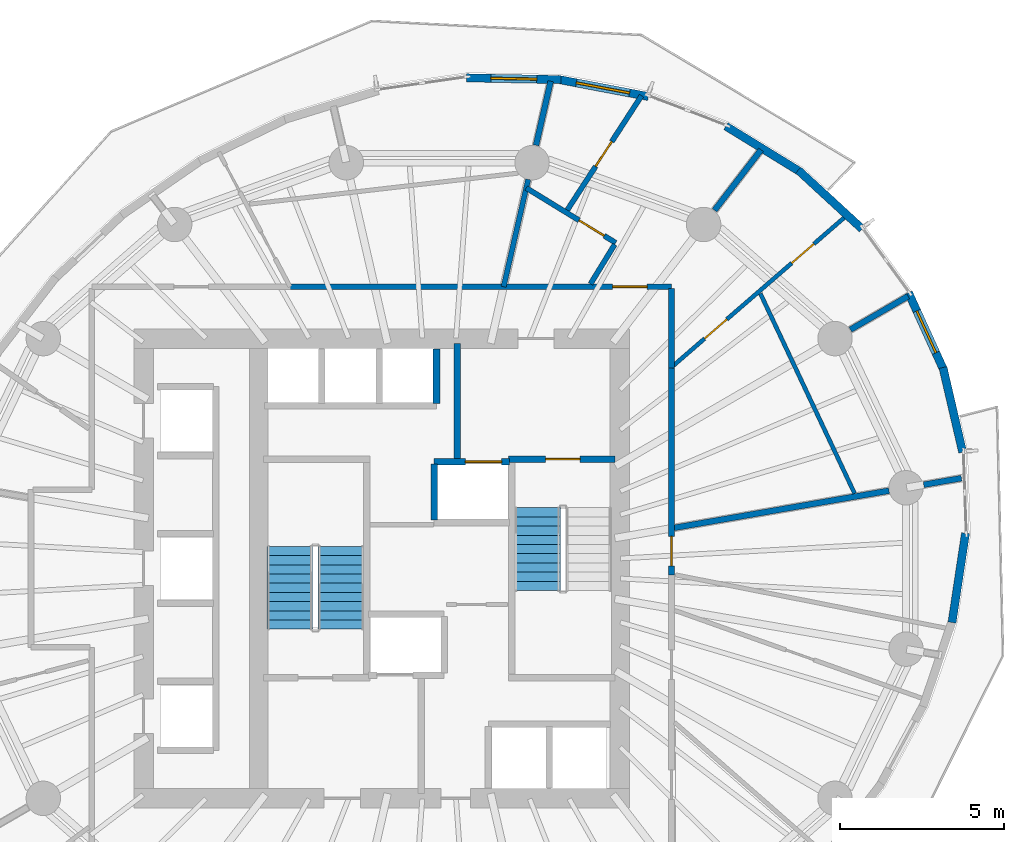
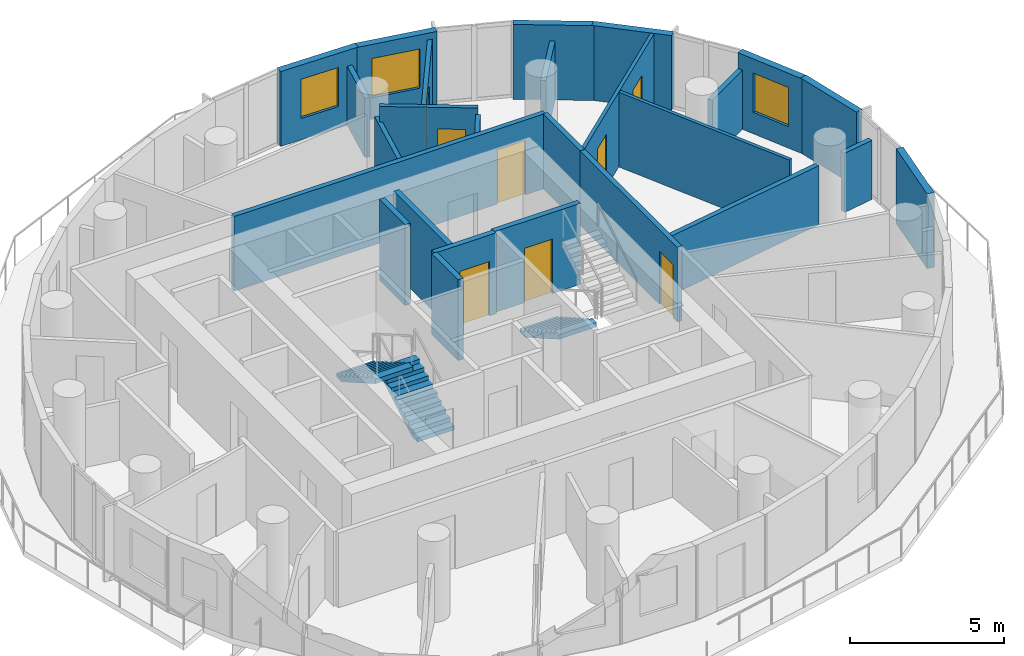
# One storey, part 8 of 14: 26 walls, 8 doors, 3 stair flights, 3 windows, 11 openings, 2 elements without a shape of their own.
"""IFC4 building model written with IfcOpenShell, lengths in metres."""

from ifc_helpers import new_model, si_unit, direction, frame, frame_2d, origin, place, context, subcontext, project, spatial, polyline, rectangle, outline, extrude, material, layer, layer_set, type_object, element, fill, aggregate, save


model = new_model("IFC4")

# Units and contexts
model_context = context("Model", 3, precision=1e-05, world=origin(), true_north=direction((0.0, 1.0)))
body_context = subcontext(model_context, "Body", "Model", "MODEL_VIEW")
ifc_project = project(units=[si_unit("LENGTHUNIT", "METRE"), si_unit("AREAUNIT", "SQUARE_METRE"), si_unit("VOLUMEUNIT", "CUBIC_METRE"), si_unit("PLANEANGLEUNIT", "RADIAN"), si_unit("MASSUNIT", "GRAM", prefix="KILO")], contexts=[model_context])

# Site, building, storey
site_placement = place(None, origin())
site = spatial("IfcSite", under=ifc_project, at=site_placement, CompositionType="ELEMENT")
building_placement = place(site_placement, origin())
building = spatial("IfcBuilding", under=site, at=building_placement, Name="Veldorim Arch Residences", CompositionType="ELEMENT")
storey_placement = place(building_placement, frame((0.0, 0.0, 126.56005859375)))
storey = spatial("IfcBuildingStorey", under=building, at=storey_placement, Name="L37", CompositionType="ELEMENT", Elevation=126.56005859375)

# Wall, openings, doors
ifc_material_1 = material(Name="Acoustic Gypsum Board", Category="gypsum")
ifc_layer_1 = layer(ifc_material_1, 0.125, Name="Acoustic Stud Room Partition Wall 125")
ifc_layer_set_1 = layer_set([ifc_layer_1], Name="Acoustic Gypsum Board")
wall_type_1 = type_object("IfcWallType", Name="Acoustic Stud Room Partition Wall 125", PredefinedType="PARTITIONING", material=ifc_layer_set_1)
wall_1_placement = place(storey_placement, frame((44.415283203125, 34.75244140625, 0.0), z_axis=(0.0, 0.0, 1.0), x_axis=(-0.755899043164, -0.654688197957, 0.0)))
wall_1 = element("IfcWall", 1, at=wall_1_placement, inside=storey, type_object=wall_type_1, Name="L37 interior wall WL-RES-L37-021", PredefinedType="PARTITIONING", context=body_context, shape_type="SweptSolid", body=[
    extrude(rectangle(XDim=7.05810546875, YDim=0.125, at=frame_2d((3.529052734375, 0.0))), origin(), (0.0, 0.0, 1.0), 2.954833984375),
])
opening_1_placement = place(wall_1_placement, frame((1.322998046875, 0.0, 0.0)))
opening_1 = element("IfcOpeningElement", 2, at=opening_1_placement, cuts=wall_1, Name="Opening DR-INT", PredefinedType="OPENING", context=body_context, shape_type="SweptSolid", body=[
    extrude(rectangle(XDim=0.89990234375, YDim=2.10009765625, at=frame_2d((0.449951171875, 1.050048828125))), frame((0.0, 0.072509765625, 0.0), z_axis=(0.0, -1.0, 0.0), x_axis=(1.0, 0.0, 0.0)), (0.0, 0.0, 1.0), 0.14501953125),
])
opening_2_placement = place(wall_1_placement, frame((4.83154296875, 0.0, 0.0)))
opening_2 = element("IfcOpeningElement", 3, at=opening_2_placement, cuts=wall_1, Name="Opening DR-INT", PredefinedType="OPENING", context=body_context, shape_type="SweptSolid", body=[
    extrude(rectangle(XDim=0.89990234375, YDim=2.10009765625, at=frame_2d((0.449951171875, 1.050048828125))), frame((0.0, 0.072509765625, 0.0), z_axis=(0.0, -1.0, 0.0), x_axis=(1.0, 0.0, 0.0)), (0.0, 0.0, 1.0), 0.14501953125),
])
ifc_material_2 = material(Name="Engineered Timber", Category="wood")
door_type_1 = type_object("IfcDoorType", Name="Apartment Internal Room Timber Door 900x2100", OperationType="SINGLE_SWING_LEFT", PredefinedType="DOOR", material=ifc_material_2)
door_1_placement = place(opening_1_placement, origin())
door_1 = element("IfcDoor", 4, at=door_1_placement, inside=storey, type_object=door_type_1, Name="L37 interior door DR-RES-L37-009", OperationType="SINGLE_SWING_LEFT", OverallHeight=2.10009765625, OverallWidth=0.89990234375, PredefinedType="DOOR", context=body_context, shape_type="SweptSolid", body=[
    extrude(rectangle(XDim=0.89990234375, YDim=2.10009765625, at=frame_2d((0.449951171875, 1.050048828125))), frame((0.0, 0.02490234375, 0.0), z_axis=(0.0, -1.0, 0.0), x_axis=(1.0, 0.0, 0.0)), (0.0, 0.0, 1.0), 0.050048828125),
])
fill(opening_1, door_1)
door_2_placement = place(opening_2_placement, origin())
door_2 = element("IfcDoor", 5, at=door_2_placement, inside=storey, type_object=door_type_1, Name="L37 interior door DR-RES-L37-010", OperationType="SINGLE_SWING_RIGHT", OverallHeight=2.10009765625, OverallWidth=0.89990234375, PredefinedType="DOOR", context=body_context, shape_type="SweptSolid", body=[
    extrude(rectangle(XDim=0.89990234375, YDim=2.10009765625, at=frame_2d((0.449951171875, 1.050048828125))), frame((0.0, 0.02490234375, 0.0), z_axis=(0.0, -1.0, 0.0), x_axis=(1.0, 0.0, 0.0)), (0.0, 0.0, 1.0), 0.050048828125),
])
fill(opening_2, door_2)

# Walls
wall_2_placement = place(storey_placement, frame((44.6533203125, 26.284912109375, 0.0), z_axis=(0.0, 0.0, 1.0), x_axis=(-0.426326363779, 0.90456941776, 0.0)))
element("IfcWall", 6, at=wall_2_placement, inside=storey, type_object=wall_type_1, Name="L37 interior wall WL-RES-L37-025", PredefinedType="PARTITIONING", context=body_context, shape_type="SweptSolid", body=[
    extrude(rectangle(XDim=6.729248046875, YDim=0.125, at=frame_2d((3.36474609375, 0.0))), origin(), (0.0, 0.0, 1.0), 2.954833984375),
])
ifc_material_3 = material(Name="Lightweight Masonry Block & Gypsum", Category="masonry")
ifc_layer_2 = layer(ifc_material_3, 0.179931640625, Name="Compartment & Corridor Fire-Rated Party Wall 180")
ifc_layer_set_2 = layer_set([ifc_layer_2], Name="Lightweight Masonry Block & Gypsum")
wall_type_2 = type_object("IfcWallType", Name="Compartment & Corridor Fire-Rated Party Wall 180", PredefinedType="PARTITIONING", material=ifc_layer_set_2)
wall_3_placement = place(storey_placement, frame((46.75830078125, 26.55078125, 0.0), z_axis=(0.0, 0.0, 1.0), x_axis=(0.98537549431, 0.170396992969, 0.0)))
element("IfcWall", 7, at=wall_3_placement, inside=storey, type_object=wall_type_2, Name="L37 interior wall WL-PIER-L37-01", PredefinedType="PARTITIONING", context=body_context, shape_type="SweptSolid", body=[
    extrude(rectangle(XDim=1.167724609375, YDim=0.179931640625, at=frame_2d((0.583984375, 0.0))), origin(), (0.0, 0.0, 1.0), 2.335693359375),
])
wall_4_placement = place(storey_placement, frame((44.527587890625, 31.27392578125, 0.0), z_axis=(0.0, 0.0, 1.0), x_axis=(0.86481084581, 0.502097800203, 0.0)))
element("IfcWall", 8, at=wall_4_placement, inside=storey, type_object=wall_type_2, Name="L37 interior wall WL-PIER-L37-02", PredefinedType="PARTITIONING", context=body_context, shape_type="SweptSolid", body=[
    extrude(rectangle(XDim=2.030029296875, YDim=0.179931640625, at=frame_2d((1.01513671875, 0.0))), origin(), (0.0, 0.0, 1.0), 2.335693359375),
])
wall_5_placement = place(storey_placement, frame((40.387939453125, 34.908447265625, 0.0), z_axis=(0.0, 0.0, 1.0), x_axis=(0.609553382458, 0.792745024541, 0.0)))
element("IfcWall", 9, at=wall_5_placement, inside=storey, type_object=wall_type_2, Name="L37 interior wall WL-PIER-L37-03", PredefinedType="PARTITIONING", context=body_context, shape_type="SweptSolid", body=[
    extrude(rectangle(XDim=2.32421875, YDim=0.179931640625, at=frame_2d((1.162109375, 0.0))), origin(), (0.0, 0.0, 1.0), 2.335693359375),
])
wall_6_placement = place(storey_placement, frame((34.950439453125, 36.88916015625, 0.0), z_axis=(0.0, 0.0, 1.0), x_axis=(0.2231492674, 0.974784286116, 0.0)))
element("IfcWall", 10, at=wall_6_placement, inside=storey, type_object=wall_type_2, Name="L37 interior wall WL-PIER-L37-04", PredefinedType="PARTITIONING", context=body_context, shape_type="SweptSolid", body=[
    extrude(rectangle(XDim=2.002197265625, YDim=0.179931640625, at=frame_2d((1.0009765625, 0.0))), origin(), (0.0, 0.0, 1.0), 2.335693359375),
])

# Wall, opening, door
wall_7_placement = place(storey_placement, frame((39.080078125, 30.158203125, 0.0), z_axis=(0.0, 0.0, 1.0), x_axis=(0.0, -1.0, 0.0)))
wall_7 = element("IfcWall", 11, at=wall_7_placement, inside=storey, type_object=wall_type_2, Name="L37 interior wall WL-RES-L37-003", PredefinedType="PARTITIONING", context=body_context, shape_type="SweptSolid", body=[
    extrude(rectangle(XDim=6.350341796875, YDim=0.179931640625, at=frame_2d((3.17529296875, 0.0))), origin(), (0.0, 0.0, 1.0), 2.954833984375),
])
opening_3_placement = place(wall_7_placement, frame((5.18212890625, 0.0, 0.0)))
opening_3 = element("IfcOpeningElement", 12, at=opening_3_placement, cuts=wall_7, Name="Opening DR-INT", PredefinedType="OPENING", context=body_context, shape_type="SweptSolid", body=[
    extrude(rectangle(XDim=0.89990234375, YDim=2.10009765625, at=frame_2d((0.449951171875, 1.050048828125))), frame((0.0, 0.099853515625, 0.0), z_axis=(0.0, -1.0, 0.0), x_axis=(1.0, 0.0, 0.0)), (0.0, 0.0, 1.0), 0.199951171875),
])
door_3_placement = place(opening_3_placement, origin())
door_3 = element("IfcDoor", 13, at=door_3_placement, inside=storey, type_object=door_type_1, Name="L37 interior door DR-RES-L37-005", OperationType="SINGLE_SWING_LEFT", OverallHeight=2.10009765625, OverallWidth=0.89990234375, PredefinedType="DOOR", context=body_context, shape_type="SweptSolid", body=[
    extrude(rectangle(XDim=0.89990234375, YDim=2.10009765625, at=frame_2d((0.449951171875, 1.050048828125))), frame((0.0, 0.02490234375, 0.0), z_axis=(0.0, -1.0, 0.0), x_axis=(1.0, 0.0, 0.0)), (0.0, 0.0, 1.0), 0.050048828125),
])
fill(opening_3, door_3)

wall_8_placement = place(storey_placement, frame((27.435302734375, 32.580078125, 0.0), z_axis=(0.0, 0.0, 1.0), x_axis=(1.0, 0.0, 0.0)))
wall_8 = element("IfcWall", 14, at=wall_8_placement, inside=storey, type_object=wall_type_2, Name="L37 interior wall WL-RES-L37-004", PredefinedType="PARTITIONING", context=body_context, shape_type="SweptSolid", body=[
    extrude(rectangle(XDim=11.644775390625, YDim=0.179931640625, at=frame_2d((5.822265625, 0.0))), origin(), (0.0, 0.0, 1.0), 2.954833984375),
])
opening_4_placement = place(wall_8_placement, frame((9.848388671875, 0.0, 0.0)))
opening_4 = element("IfcOpeningElement", 15, at=opening_4_placement, cuts=wall_8, Name="Opening DR-FLT", PredefinedType="OPENING", context=body_context, shape_type="SweptSolid", body=[
    extrude(rectangle(XDim=1.050048828125, YDim=2.14990234375, at=frame_2d((0.52490234375, 1.074951171875))), frame((0.0, 0.099853515625, 0.0), z_axis=(0.0, -1.0, 0.0), x_axis=(1.0, 0.0, 0.0)), (0.0, 0.0, 1.0), 0.199951171875),
])
ifc_material_4 = material(Name="Fire-Rated Timber", Category="wood")
door_type_2 = type_object("IfcDoorType", Name="Apartment Entrance Solid-Core Fire Door 1050x2150", OperationType="SINGLE_SWING_LEFT", PredefinedType="DOOR", material=ifc_material_4)
door_4_placement = place(opening_4_placement, origin())
door_4 = element("IfcDoor", 16, at=door_4_placement, inside=storey, type_object=door_type_2, Name="L37 interior door DR-RES-L37-007", OperationType="SINGLE_SWING_LEFT", OverallHeight=2.14990234375, OverallWidth=1.050048828125, PredefinedType="DOOR", context=body_context, shape_type="SweptSolid", body=[
    extrude(rectangle(XDim=1.050048828125, YDim=2.14990234375, at=frame_2d((0.52490234375, 1.074951171875))), frame((0.0, 0.02490234375, 0.0), z_axis=(0.0, -1.0, 0.0), x_axis=(1.0, 0.0, 0.0)), (0.0, 0.0, 1.0), 0.050048828125),
])
fill(opening_4, door_4)

# Walls
wall_9_placement = place(storey_placement, frame((39.080078125, 32.52001953125, 0.0), z_axis=(0.0, 0.0, 1.0), x_axis=(0.0, -1.0, 0.0)))
element("IfcWall", 17, at=wall_9_placement, inside=storey, type_object=wall_type_2, Name="L37 interior wall WL-RES-L37-005", PredefinedType="PARTITIONING", context=body_context, shape_type="SweptSolid", body=[
    extrude(rectangle(XDim=2.408203125, YDim=0.179931640625, at=frame_2d((1.2041015625, 0.0))), origin(), (0.0, 0.0, 1.0), 2.954833984375),
])
wall_10_placement = place(storey_placement, frame((39.080078125, 25.2236328125, 0.0), z_axis=(0.0, 0.0, 1.0), x_axis=(0.985384524795, 0.17034476304, 0.0)))
element("IfcWall", 18, at=wall_10_placement, inside=storey, type_object=wall_type_2, Name="L37 interior wall WL-RES-L37-019", PredefinedType="PARTITIONING", context=body_context, shape_type="SweptSolid", body=[
    extrude(rectangle(XDim=6.7216796875, YDim=0.179931640625, at=frame_2d((3.36083984375, 0.0))), origin(), (0.0, 0.0, 1.0), 2.335693359375),
])

# Wall, opening, door
ifc_material_5 = material(Name="Concrete C50/60", Category="concrete")
ifc_layer_3 = layer(ifc_material_5, 0.199951171875, Name="Core Stair & Lift Shaft Enclosure Wall 200")
ifc_layer_set_3 = layer_set([ifc_layer_3], Name="Concrete C50/60")
wall_type_3 = type_object("IfcWallType", Name="Core Stair & Lift Shaft Enclosure Wall 200", PredefinedType="SHEAR", material=ifc_layer_set_3)
wall_11_placement = place(storey_placement, frame((34.110107421875, 27.330078125, 0.0), z_axis=(0.0, 0.0, 1.0), x_axis=(1.0, 0.0, 0.0)))
wall_11 = element("IfcWall", 19, at=wall_11_placement, inside=storey, type_object=wall_type_3, Name="L37 shaft wall WL-SHF-L37-ST2-N", PredefinedType="SHEAR", context=body_context, shape_type="SweptSolid", body=[
    extrude(rectangle(XDim=3.239990234375, YDim=0.199951171875, at=frame_2d((1.6201171875, 0.0))), origin(), (0.0, 0.0, 1.0), 3.199951171875),
])
opening_5_placement = place(wall_11_placement, frame((1.135009765625, 0.0, 0.0)))
opening_5 = element("IfcOpeningElement", 20, at=opening_5_placement, cuts=wall_11, Name="Opening DR-ST", PredefinedType="OPENING", context=body_context, shape_type="SweptSolid", body=[
    extrude(rectangle(XDim=1.050048828125, YDim=2.14990234375, at=frame_2d((0.52490234375, 1.074951171875))), frame((0.0, 0.10986328125, 0.0), z_axis=(0.0, -1.0, 0.0), x_axis=(1.0, 0.0, 0.0)), (0.0, 0.0, 1.0), 0.219970703125),
])
ifc_material_6 = material(Name="Fire-Rated Steel", Category="steel")
door_type_3 = type_object("IfcDoorType", Name="Exit Staircase Self-Closing Fire Door 1050x2150", OperationType="SINGLE_SWING_LEFT", PredefinedType="DOOR", material=ifc_material_6)
door_5_placement = place(opening_5_placement, origin())
door_5 = element("IfcDoor", 21, at=door_5_placement, inside=storey, type_object=door_type_3, Name="L37 interior door DR-L37-ST2", OperationType="SINGLE_SWING_RIGHT", OverallHeight=2.14990234375, OverallWidth=1.050048828125, PredefinedType="DOOR", context=body_context, shape_type="SweptSolid", body=[
    extrude(rectangle(XDim=1.050048828125, YDim=2.14990234375, at=frame_2d((0.52490234375, 1.074951171875))), frame((0.0, 0.02490234375, 0.0), z_axis=(0.0, -1.0, 0.0), x_axis=(1.0, 0.0, 0.0)), (0.0, 0.0, 1.0), 0.050048828125),
])
fill(opening_5, door_5)

# Wall
wall_12_placement = place(storey_placement, frame((32.550048828125, 27.35009765625, 0.0), z_axis=(0.0, 0.0, 1.0), x_axis=(0.0, 1.0, 0.0)))
element("IfcWall", 22, at=wall_12_placement, inside=storey, type_object=wall_type_3, Name="L37 shaft wall WL-FFL2-L37-W", PredefinedType="SHEAR", context=body_context, shape_type="SweptSolid", body=[
    extrude(rectangle(XDim=3.5, YDim=0.199951171875, at=frame_2d((1.75, 0.0))), origin(), (0.0, 0.0, 1.0), 3.199951171875),
])

# Wall, opening, door
wall_13_placement = place(storey_placement, frame((31.85009765625, 27.25, 0.0), z_axis=(0.0, 0.0, 1.0), x_axis=(1.0, 0.0, 0.0)))
wall_13 = element("IfcWall", 23, at=wall_13_placement, inside=storey, type_object=wall_type_3, Name="L37 shaft wall WL-FL02-L37-N", PredefinedType="SHEAR", context=body_context, shape_type="SweptSolid", body=[
    extrude(rectangle(XDim=2.2998046875, YDim=0.199951171875, at=frame_2d((1.14990234375, 0.0))), origin(), (0.0, 0.0, 1.0), 3.199951171875),
])
opening_6_placement = place(wall_13_placement, frame((0.949951171875, 0.0, 0.0)))
opening_6 = element("IfcOpeningElement", 24, at=opening_6_placement, cuts=wall_13, Name="Opening LD-FF", PredefinedType="OPENING", context=body_context, shape_type="SweptSolid", body=[
    extrude(rectangle(XDim=1.10009765625, YDim=2.14990234375, at=frame_2d((0.550048828125, 1.074951171875))), frame((0.0, 0.10986328125, 0.0), z_axis=(0.0, -1.0, 0.0), x_axis=(1.0, 0.0, 0.0)), (0.0, 0.0, 1.0), 0.219970703125),
])
ifc_material_7 = material(Name="Stainless Steel", Category="steel")
door_type_4 = type_object("IfcDoorType", Name="Firefighting Lift Bi-Parting Sliding Landing Door 1100x2150", OperationType="DOUBLE_DOOR_SLIDING", PredefinedType="DOOR", material=ifc_material_7)
door_6_placement = place(opening_6_placement, origin())
door_6 = element("IfcDoor", 25, at=door_6_placement, inside=storey, type_object=door_type_4, Name="L37 lift landing door LD-L37-FL02", OperationType="DOUBLE_DOOR_SLIDING", OverallHeight=2.14990234375, OverallWidth=1.10009765625, PredefinedType="DOOR", context=body_context, shape_type="SweptSolid", body=[
    extrude(rectangle(XDim=1.10009765625, YDim=2.14990234375, at=frame_2d((0.550048828125, 1.074951171875))), frame((0.0, 0.02490234375, 0.0), z_axis=(0.0, -1.0, 0.0), x_axis=(1.0, 0.0, 0.0)), (0.0, 0.0, 1.0), 0.050048828125),
])
fill(opening_6, door_6)

# Walls
wall_14_placement = place(storey_placement, frame((31.85009765625, 25.469970703125, 0.0), z_axis=(0.0, 0.0, 1.0), x_axis=(0.0, 1.0, 0.0)))
element("IfcWall", 26, at=wall_14_placement, inside=storey, type_object=wall_type_3, Name="L37 shaft wall WL-FL02-L37-W", PredefinedType="SHEAR", context=body_context, shape_type="SweptSolid", body=[
    extrude(rectangle(XDim=1.7099609375, YDim=0.199951171875, at=frame_2d((0.85498046875, 0.0))), origin(), (0.0, 0.0, 1.0), 3.199951171875),
])
wall_15_placement = place(storey_placement, frame((31.919921875, 29.02001953125, 0.0), z_axis=(0.0, 0.0, 1.0), x_axis=(0.0, 1.0, 0.0)))
element("IfcWall", 27, at=wall_15_placement, inside=storey, type_object=wall_type_3, Name="L37 shaft wall WL-B3-L37-E", PredefinedType="SHEAR", context=body_context, shape_type="SweptSolid", body=[
    extrude(rectangle(XDim=1.659912109375, YDim=0.199951171875, at=frame_2d((0.830078125, 0.0))), origin(), (0.0, 0.0, 1.0), 3.199951171875),
])
ifc_material_8 = material(Name="Precast concrete C40/50", Category="concrete")
ifc_layer_4 = layer(ifc_material_8, 0.25, Name="Tower Terracotta Spandrel & Pier Wall 250")
ifc_layer_set_4 = layer_set([ifc_layer_4], Name="Precast concrete C40/50")
wall_type_4 = type_object("IfcWallType", Name="Tower Terracotta Spandrel & Pier Wall 250", PredefinedType="SOLIDWALL", material=ifc_layer_set_4)
wall_16_placement = place(storey_placement, frame((42.938720703125, 36.132080078125, 0.0), z_axis=(0.0, 0.0, 1.0), x_axis=(0.73572884951, -0.677276206579, 0.0)))
element("IfcWall", 28, at=wall_16_placement, inside=storey, type_object=wall_type_4, Name="L37 terracotta facade wall 02", PredefinedType="SOLIDWALL", context=body_context, shape_type="SweptSolid", body=[
    extrude(rectangle(XDim=2.64794921875, YDim=0.25, at=frame_2d((1.323974609375, 0.0))), origin(), (0.0, 0.0, 1.0), 2.9599609375),
])
wall_17_placement = place(storey_placement, frame((40.734619140625, 37.472900390625, 0.0), z_axis=(0.0, 0.0, 1.0), x_axis=(0.852103133134, -0.523373910797, 0.0)))
element("IfcWall", 29, at=wall_17_placement, inside=storey, type_object=wall_type_4, Name="L37 terracotta facade wall 03", PredefinedType="SOLIDWALL", context=body_context, shape_type="SweptSolid", body=[
    extrude(rectangle(XDim=2.69287109375, YDim=0.25, at=frame_2d((1.346435546875, 0.0))), origin(), (0.0, 0.0, 1.0), 2.9599609375),
])

# Wall, opening, window
wall_18_placement = place(storey_placement, frame((35.6044921875, 38.901123046875, 0.0), z_axis=(0.0, 0.0, 1.0), x_axis=(0.982412055756, -0.18672587583, 0.0)))
wall_18 = element("IfcWall", 30, at=wall_18_placement, inside=storey, type_object=wall_type_4, Name="L37 terracotta facade wall 05", PredefinedType="SOLIDWALL", context=body_context, shape_type="SweptSolid", body=[
    extrude(rectangle(XDim=2.817626953125, YDim=0.25, at=frame_2d((1.40869140625, 0.0))), origin(), (0.0, 0.0, 1.0), 2.9599609375),
])
opening_7_placement = place(wall_18_placement, frame((0.583984375, 0.0, 0.85009765625)))
opening_7 = element("IfcOpeningElement", 31, at=opening_7_placement, cuts=wall_18, Name="Opening WN-03", PredefinedType="OPENING", context=body_context, shape_type="SweptSolid", body=[
    extrude(rectangle(XDim=1.64990234375, YDim=1.550048828125, at=frame_2d((0.824951171875, 0.77490234375))), frame((0.0, 0.135009765625, 0.0), z_axis=(0.0, -1.0, 0.0), x_axis=(1.0, 0.0, 0.0)), (0.0, 0.0, 1.0), 0.27001953125),
])
ifc_material_9 = material(Name="Laminated Low-E Glass", Category="glass")
window_type_1 = type_object("IfcWindowType", Name="Residential Wide Window 1650x1550", PartitioningType="SINGLE_PANEL", PredefinedType="WINDOW", material=ifc_material_9)
window_1_placement = place(opening_7_placement, origin())
window_1 = element("IfcWindow", 32, at=window_1_placement, inside=storey, type_object=window_type_1, Name="L37 solar-control facade window 05", OverallHeight=1.550048828125, OverallWidth=1.64990234375, PartitioningType="SINGLE_PANEL", PredefinedType="WINDOW", context=body_context, shape_type="SweptSolid", body=[
    extrude(rectangle(XDim=1.64990234375, YDim=1.550048828125, at=frame_2d((0.824951171875, 0.77490234375))), frame((0.0, 0.030029296875, 0.0), z_axis=(0.0, -1.0, 0.0), x_axis=(1.0, 0.0, 0.0)), (0.0, 0.0, 1.0), 0.06005859375),
])
fill(opening_7, window_1)

wall_19_placement = place(storey_placement, frame((32.83349609375, 38.944580078125, 0.0), z_axis=(0.0, 0.0, 1.0), x_axis=(0.99981990109, -0.018978023714, 0.0)))
wall_19 = element("IfcWall", 33, at=wall_19_placement, inside=storey, type_object=wall_type_4, Name="L37 terracotta facade wall 06", PredefinedType="SOLIDWALL", context=body_context, shape_type="SweptSolid", body=[
    extrude(rectangle(XDim=2.881591796875, YDim=0.25, at=frame_2d((1.44091796875, 0.0))), origin(), (0.0, 0.0, 1.0), 2.9599609375),
])
opening_8_placement = place(wall_19_placement, frame((0.740966796875, 0.0, 0.85009765625)))
opening_8 = element("IfcOpeningElement", 34, at=opening_8_placement, cuts=wall_19, Name="Opening WN-02", PredefinedType="OPENING", context=body_context, shape_type="SweptSolid", body=[
    extrude(rectangle(XDim=1.39990234375, YDim=1.550048828125, at=frame_2d((0.699951171875, 0.77490234375))), frame((0.0, 0.135009765625, 0.0), z_axis=(0.0, -1.0, 0.0), x_axis=(1.0, 0.0, 0.0)), (0.0, 0.0, 1.0), 0.27001953125),
])
ifc_material_10 = material(Name="Laminated Low-E Glass", Category="glass")
window_type_2 = type_object("IfcWindowType", Name="Residential Casement Window 1400x1550", PartitioningType="SINGLE_PANEL", PredefinedType="WINDOW", material=ifc_material_10)
window_2_placement = place(opening_8_placement, origin())
window_2 = element("IfcWindow", 35, at=window_2_placement, inside=storey, type_object=window_type_2, Name="L37 solar-control facade window 06", OverallHeight=1.550048828125, OverallWidth=1.39990234375, PartitioningType="SINGLE_PANEL", PredefinedType="WINDOW", context=body_context, shape_type="SweptSolid", body=[
    extrude(rectangle(XDim=1.39990234375, YDim=1.550048828125, at=frame_2d((0.699951171875, 0.77490234375))), frame((0.0, 0.030029296875, 0.0), z_axis=(0.0, -1.0, 0.0), x_axis=(1.0, 0.0, 0.0)), (0.0, 0.0, 1.0), 0.06005859375),
])
fill(opening_8, window_2)

# Walls
wall_20_placement = place(storey_placement, frame((48.033935546875, 25.07470703125, 0.0), z_axis=(0.0, 0.0, 1.0), x_axis=(-0.149576734229, -0.988750120393, 0.0)))
element("IfcWall", 36, at=wall_20_placement, inside=storey, type_object=wall_type_4, Name="L37 terracotta facade wall 33", PredefinedType="SOLIDWALL", context=body_context, shape_type="SweptSolid", body=[
    extrude(rectangle(XDim=2.751953125, YDim=0.25, at=frame_2d((1.3759765625, 0.0))), origin(), (0.0, 0.0, 1.0), 2.9599609375),
])
wall_21_placement = place(storey_placement, frame((47.34619140625, 30.1201171875, 0.0), z_axis=(0.0, 0.0, 1.0), x_axis=(0.226865331245, -0.973926137589, 0.0)))
element("IfcWall", 37, at=wall_21_placement, inside=storey, type_object=wall_type_4, Name="L37 terracotta facade wall 35", PredefinedType="SOLIDWALL", context=body_context, shape_type="SweptSolid", body=[
    extrude(rectangle(XDim=2.6484375, YDim=0.25, at=frame_2d((1.32421875, 0.0))), origin(), (0.0, 0.0, 1.0), 2.9599609375),
])

# Wall, opening, window
wall_22_placement = place(storey_placement, frame((46.295166015625, 32.399658203125, 0.0), z_axis=(0.0, 0.0, 1.0), x_axis=(0.41458087789, -0.910012470073, 0.0)))
wall_22 = element("IfcWall", 38, at=wall_22_placement, inside=storey, type_object=wall_type_4, Name="L37 terracotta facade wall 36", PredefinedType="SOLIDWALL", context=body_context, shape_type="SweptSolid", body=[
    extrude(rectangle(XDim=2.6240234375, YDim=0.25, at=frame_2d((1.31201171875, 0.0))), origin(), (0.0, 0.0, 1.0), 2.9599609375),
])
opening_9_placement = place(wall_22_placement, frame((0.612060546875, 0.0, 0.85009765625)))
opening_9 = element("IfcOpeningElement", 39, at=opening_9_placement, cuts=wall_22, Name="Opening WN-02", PredefinedType="OPENING", context=body_context, shape_type="SweptSolid", body=[
    extrude(rectangle(XDim=1.39990234375, YDim=1.550048828125, at=frame_2d((0.699951171875, 0.77490234375))), frame((0.0, 0.135009765625, 0.0), z_axis=(0.0, -1.0, 0.0), x_axis=(1.0, 0.0, 0.0)), (0.0, 0.0, 1.0), 0.27001953125),
])
window_3_placement = place(opening_9_placement, origin())
window_3 = element("IfcWindow", 40, at=window_3_placement, inside=storey, type_object=window_type_2, Name="L37 solar-control facade window 36", OverallHeight=1.550048828125, OverallWidth=1.39990234375, PartitioningType="SINGLE_PANEL", PredefinedType="WINDOW", context=body_context, shape_type="SweptSolid", body=[
    extrude(rectangle(XDim=1.39990234375, YDim=1.550048828125, at=frame_2d((0.699951171875, 0.77490234375))), frame((0.0, 0.030029296875, 0.0), z_axis=(0.0, -1.0, 0.0), x_axis=(1.0, 0.0, 0.0)), (0.0, 0.0, 1.0), 0.06005859375),
])
fill(opening_9, window_3)

# Wall, opening, door
ifc_material_11 = material(Name="Moisture-Resistant Gypsum & Stud", Category="gypsum")
ifc_layer_5 = layer(ifc_material_11, 0.159912109375, Name="Wet-Area Moisture-Resistant Plumbing Wall 160")
ifc_layer_set_5 = layer_set([ifc_layer_5], Name="Moisture-Resistant Gypsum & Stud")
wall_type_5 = type_object("IfcWallType", Name="Wet-Area Moisture-Resistant Plumbing Wall 160", PredefinedType="PLUMBINGWALL", material=ifc_layer_set_5)
wall_23_placement = place(storey_placement, frame((35.859619140625, 34.850341796875, 0.0), z_axis=(0.0, 0.0, 1.0), x_axis=(0.544769331989, 0.83858593771, 0.0)))
wall_23 = element("IfcWall", 41, at=wall_23_placement, inside=storey, type_object=wall_type_5, Name="L37 interior wall WL-RES-L37-020", PredefinedType="PLUMBINGWALL", context=body_context, shape_type="SweptSolid", body=[
    extrude(rectangle(XDim=4.23193359375, YDim=0.159912109375, at=frame_2d((2.115966796875, 0.0))), origin(), (0.0, 0.0, 1.0), 2.69189453125),
])
opening_10_placement = place(wall_23_placement, frame((1.666015625, 0.0, 0.0)))
opening_10 = element("IfcOpeningElement", 42, at=opening_10_placement, cuts=wall_23, Name="Opening DR-WC", PredefinedType="OPENING", context=body_context, shape_type="SweptSolid", body=[
    extrude(rectangle(XDim=0.89990234375, YDim=2.10009765625, at=frame_2d((0.449951171875, 1.050048828125))), frame((0.0, 0.08984375, 0.0), z_axis=(0.0, -1.0, 0.0), x_axis=(1.0, 0.0, 0.0)), (0.0, 0.0, 1.0), 0.179931640625),
])
ifc_material_12 = material(Name="Laminate Timber", Category="wood")
door_type_5 = type_object("IfcDoorType", Name="Bathroom & Accessible WC Moisture-Sealed Door 900x2100", OperationType="SINGLE_SWING_LEFT", PredefinedType="DOOR", material=ifc_material_12)
door_7_placement = place(opening_10_placement, origin())
door_7 = element("IfcDoor", 43, at=door_7_placement, inside=storey, type_object=door_type_5, Name="L37 interior door DR-RES-L37-008", OperationType="SINGLE_SWING_RIGHT", OverallHeight=2.10009765625, OverallWidth=0.89990234375, PredefinedType="DOOR", context=body_context, shape_type="SweptSolid", body=[
    extrude(rectangle(XDim=0.89990234375, YDim=2.10009765625, at=frame_2d((0.449951171875, 1.050048828125))), frame((0.0, 0.02490234375, 0.0), z_axis=(0.0, -1.0, 0.0), x_axis=(1.0, 0.0, 0.0)), (0.0, 0.0, 1.0), 0.050048828125),
])
fill(opening_10, door_7)

wall_24_placement = place(storey_placement, frame((37.378173828125, 33.918701171875, 0.0), z_axis=(0.0, 0.0, 1.0), x_axis=(-0.852404729952, 0.522882564593, 0.0)))
wall_24 = element("IfcWall", 44, at=wall_24_placement, inside=storey, type_object=wall_type_5, Name="L37 interior wall WL-RES-L37-022", PredefinedType="PLUMBINGWALL", context=body_context, shape_type="SweptSolid", body=[
    extrude(rectangle(XDim=3.197021484375, YDim=0.159912109375, at=frame_2d((1.5986328125, 0.0))), origin(), (0.0, 0.0, 1.0), 2.954833984375),
])
opening_11_placement = place(wall_24_placement, frame((0.410888671875, 0.0, 0.0)))
opening_11 = element("IfcOpeningElement", 45, at=opening_11_placement, cuts=wall_24, Name="Opening DR-INT", PredefinedType="OPENING", context=body_context, shape_type="SweptSolid", body=[
    extrude(rectangle(XDim=0.89990234375, YDim=2.10009765625, at=frame_2d((0.449951171875, 1.050048828125))), frame((0.0, 0.08984375, 0.0), z_axis=(0.0, -1.0, 0.0), x_axis=(1.0, 0.0, 0.0)), (0.0, 0.0, 1.0), 0.179931640625),
])
door_8_placement = place(opening_11_placement, origin())
door_8 = element("IfcDoor", 46, at=door_8_placement, inside=storey, type_object=door_type_1, Name="L37 interior door DR-RES-L37-011", OperationType="SINGLE_SWING_LEFT", OverallHeight=2.10009765625, OverallWidth=0.89990234375, PredefinedType="DOOR", context=body_context, shape_type="SweptSolid", body=[
    extrude(rectangle(XDim=0.89990234375, YDim=2.10009765625, at=frame_2d((0.449951171875, 1.050048828125))), frame((0.0, 0.02490234375, 0.0), z_axis=(0.0, -1.0, 0.0), x_axis=(1.0, 0.0, 0.0)), (0.0, 0.0, 1.0), 0.050048828125),
])
fill(opening_11, door_8)

# Walls
wall_25_placement = place(storey_placement, frame((36.609375, 32.665283203125, 0.0), z_axis=(0.0, 0.0, 1.0), x_axis=(0.522744698365, 0.852489284585, 0.0)))
element("IfcWall", 47, at=wall_25_placement, inside=storey, type_object=wall_type_5, Name="L37 interior wall WL-RES-L37-023", PredefinedType="PLUMBINGWALL", context=body_context, shape_type="SweptSolid", body=[
    extrude(rectangle(XDim=1.410400390625, YDim=0.159912109375, at=frame_2d((0.705078125, 0.0))), origin(), (0.0, 0.0, 1.0), 2.69189453125),
])
wall_26_placement = place(storey_placement, frame((33.9638671875, 32.580078125, 0.0), z_axis=(0.0, 0.0, 1.0), x_axis=(0.223211982142, 0.974769927228, 0.0)))
element("IfcWall", 48, at=wall_26_placement, inside=storey, type_object=wall_type_5, Name="L37 interior wall WL-RES-L37-024", PredefinedType="PLUMBINGWALL", context=body_context, shape_type="SweptSolid", body=[
    extrude(rectangle(XDim=3.355712890625, YDim=0.159912109375, at=frame_2d((1.677734375, 0.0))), origin(), (0.0, 0.0, 1.0), 2.335693359375),
])

# Stair, stair flights
ifc_material_13 = material(Name="Concrete C40/50", Category="concrete")
stair_type = type_object("IfcStairType", Name="Reinforced Concrete Dogleg Exit Staircase", PredefinedType="HALF_TURN_STAIR", material=ifc_material_13)
stair_1_placement = place(storey_placement, origin())
stair_1 = element("IfcStair", 49, at=stair_1_placement, inside=storey, type_object=stair_type, Name="L37 Exit Staircase ST-1", PredefinedType="HALF_TURN_STAIR")
ifc_material_14 = material(Name="Concrete C40/50", Category="concrete")
stair_flight_type = type_object("IfcStairFlightType", Name="Reinforced Concrete Stair Flight 1400", PredefinedType="STRAIGHT", material=ifc_material_14)
stair_flight_1_placement = place(storey_placement, frame((29.010009765625, 22.14990234375, 0.0), z_axis=(0.0, 0.0, 1.0), x_axis=(0.0, 1.0, 0.0)))
stair_flight_1 = element("IfcStairFlight", 50, at=stair_flight_1_placement, type_object=stair_flight_type, Name="ST-1 flight 1", NumberOfRisers=10, NumberOfTreads=9, PredefinedType="STRAIGHT", RiserHeight=0.16, TreadLength=0.28, context=body_context, shape_type="SweptSolid", body=[
    extrude(outline(polyline([(0.0, 0.0), (0.0, 0.159912109375), (0.280029296875, 0.159912109375), (0.280029296875, 0.320068359375), (0.56005859375, 0.320068359375), (0.56005859375, 0.47998046875), (0.840087890625, 0.47998046875), (0.840087890625, 0.639892578125), (1.1201171875, 0.639892578125), (1.1201171875, 0.800048828125), (1.39990234375, 0.800048828125), (1.39990234375, 0.9599609375), (1.679931640625, 0.9599609375), (1.679931640625, 1.1201171875), (1.9599609375, 1.1201171875), (1.9599609375, 1.280029296875), (2.239990234375, 1.280029296875), (2.239990234375, 1.43994140625), (2.52001953125, 1.43994140625), (2.52001953125, 1.60009765625), (2.52001953125, 1.255859375), (0.322265625, 0.0), (0.0, 0.0)])), frame((0.0, 0.699951171875, 0.0), z_axis=(0.0, -1.0, 0.0), x_axis=(1.0, 0.0, 0.0)), (0.0, 0.0, 1.0), 1.39990234375),
])
stair_flight_2_placement = place(storey_placement, frame((27.449951171875, 24.669921875, 1.599853515625), z_axis=(0.0, 0.0, 1.0), x_axis=(0.0, -1.0, 0.0)))
stair_flight_2 = element("IfcStairFlight", 51, at=stair_flight_2_placement, type_object=stair_flight_type, Name="ST-1 flight 2", NumberOfRisers=10, NumberOfTreads=9, PredefinedType="STRAIGHT", RiserHeight=0.16, TreadLength=0.28, context=body_context, shape_type="SweptSolid", body=[
    extrude(outline(polyline([(0.0, 0.0), (0.0, 0.159912109375), (0.280029296875, 0.159912109375), (0.280029296875, 0.320068359375), (0.56005859375, 0.320068359375), (0.56005859375, 0.47998046875), (0.840087890625, 0.47998046875), (0.840087890625, 0.639892578125), (1.1201171875, 0.639892578125), (1.1201171875, 0.800048828125), (1.39990234375, 0.800048828125), (1.39990234375, 0.9599609375), (1.679931640625, 0.9599609375), (1.679931640625, 1.1201171875), (1.9599609375, 1.1201171875), (1.9599609375, 1.280029296875), (2.239990234375, 1.280029296875), (2.239990234375, 1.43994140625), (2.52001953125, 1.43994140625), (2.52001953125, 1.60009765625), (2.52001953125, 1.255859375), (0.322265625, 0.0), (0.0, 0.0)])), frame((0.0, 0.699951171875, 0.0), z_axis=(0.0, -1.0, 0.0), x_axis=(1.0, 0.0, 0.0)), (0.0, 0.0, 1.0), 1.39990234375),
])
aggregate(stair_1, [stair_flight_1, stair_flight_2])

# Stair, stair flight
stair_2_placement = place(storey_placement, origin())
stair_2 = element("IfcStair", 52, at=stair_2_placement, inside=storey, type_object=stair_type, Name="L37 Exit Staircase ST-2", PredefinedType="HALF_TURN_STAIR")
stair_flight_3_placement = place(storey_placement, frame((34.989990234375, 25.85009765625, 0.0), z_axis=(0.0, 0.0, 1.0), x_axis=(0.0, -1.0, 0.0)))
stair_flight_3 = element("IfcStairFlight", 53, at=stair_flight_3_placement, type_object=stair_flight_type, Name="ST-2 flight 1", NumberOfRisers=10, NumberOfTreads=9, PredefinedType="STRAIGHT", RiserHeight=0.16, TreadLength=0.28, context=body_context, shape_type="SweptSolid", body=[
    extrude(outline(polyline([(0.0, 0.0), (0.0, 0.159912109375), (0.280029296875, 0.159912109375), (0.280029296875, 0.320068359375), (0.56005859375, 0.320068359375), (0.56005859375, 0.47998046875), (0.840087890625, 0.47998046875), (0.840087890625, 0.639892578125), (1.1201171875, 0.639892578125), (1.1201171875, 0.800048828125), (1.39990234375, 0.800048828125), (1.39990234375, 0.9599609375), (1.679931640625, 0.9599609375), (1.679931640625, 1.1201171875), (1.9599609375, 1.1201171875), (1.9599609375, 1.280029296875), (2.239990234375, 1.280029296875), (2.239990234375, 1.43994140625), (2.52001953125, 1.43994140625), (2.52001953125, 1.60009765625), (2.52001953125, 1.255859375), (0.322265625, 0.0), (0.0, 0.0)])), frame((0.0, 0.699951171875, 0.0), z_axis=(0.0, -1.0, 0.0), x_axis=(1.0, 0.0, 0.0)), (0.0, 0.0, 1.0), 1.39990234375),
])
aggregate(stair_2, [stair_flight_3])

save(model, "model.ifc")
